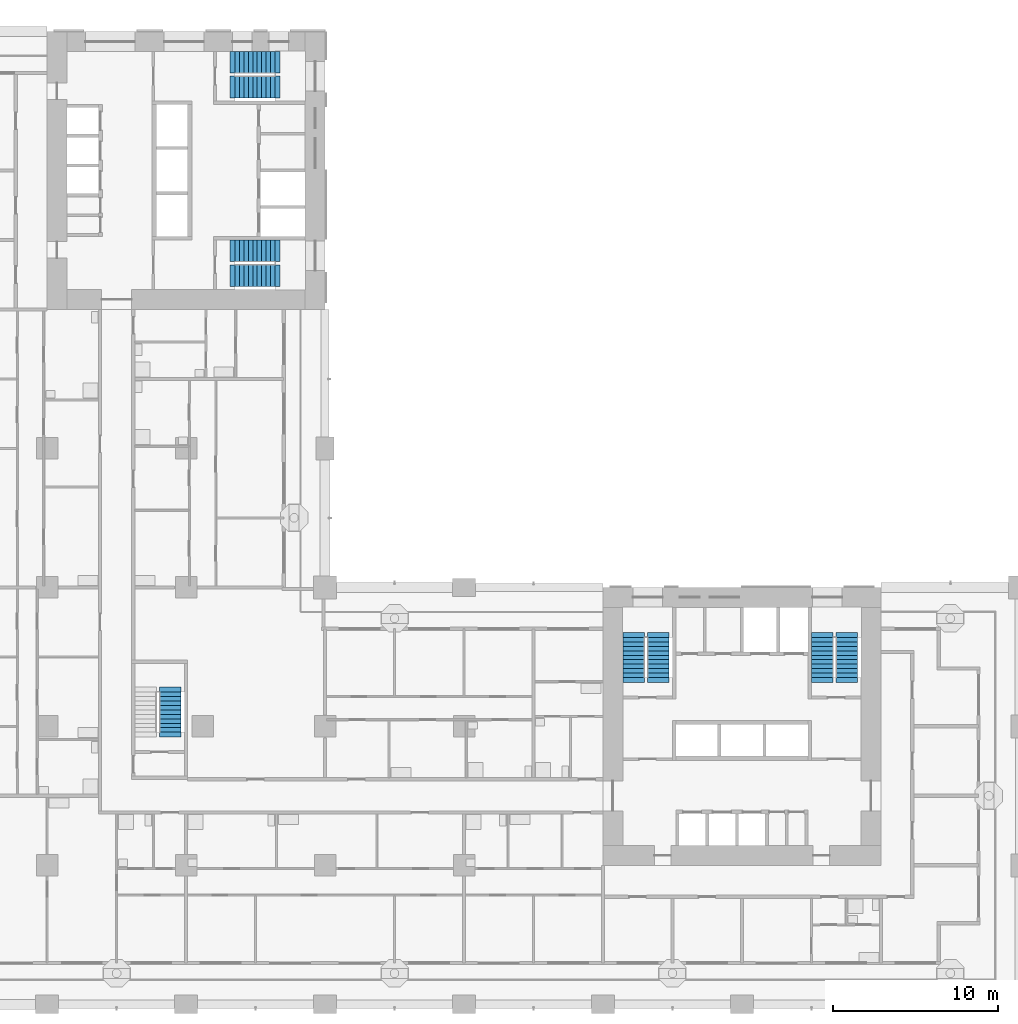
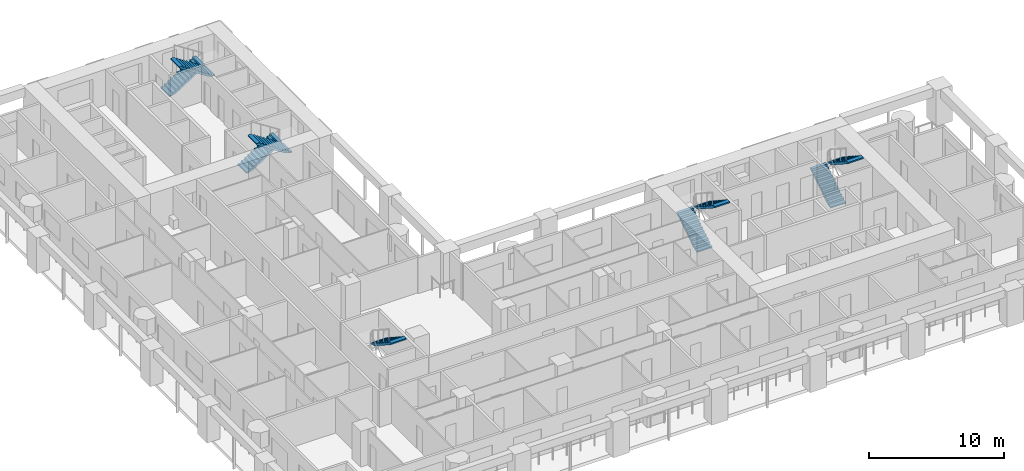
# One storey, part 10 of 20: 9 stair flights, 5 elements without a shape of their own.
"""IFC4 building model written with IfcOpenShell, lengths in metres."""

from ifc_helpers import new_model, si_unit, direction, frame, origin, place, context, subcontext, project, spatial, polyline, outline, extrude, material, type_object, element, aggregate, save


model = new_model("IFC4")

# Units and contexts
model_context = context("Model", 3, precision=1e-05, world=origin(), true_north=direction((0.0, 1.0)))
body_context = subcontext(model_context, "Body", "Model", "MODEL_VIEW")
ifc_project = project(units=[si_unit("LENGTHUNIT", "METRE"), si_unit("AREAUNIT", "SQUARE_METRE"), si_unit("VOLUMEUNIT", "CUBIC_METRE"), si_unit("PLANEANGLEUNIT", "RADIAN"), si_unit("MASSUNIT", "GRAM", prefix="KILO")], contexts=[model_context])

# Site, building, storey
site_placement = place(None, origin())
site = spatial("IfcSite", under=ifc_project, at=site_placement, CompositionType="ELEMENT")
building_placement = place(site_placement, origin())
building = spatial("IfcBuilding", under=site, at=building_placement, Name="Vermilion Gate Residences", CompositionType="ELEMENT")
storey_placement = place(building_placement, frame((0.0, 0.0, 39.199951171875)))
storey = spatial("IfcBuildingStorey", under=building, at=storey_placement, Name="L08", CompositionType="ELEMENT", Elevation=39.199951171875)

# Stair, stair flights
ifc_material_1 = material(Name="Concrete C50", Category="concrete")
stair_type = type_object("IfcStairType", Name="SPECIAL ESCAPE STAIR 1300", PredefinedType="HALF_TURN_STAIR", material=ifc_material_1)
stair_1_placement = place(storey_placement, origin())
stair_1 = element("IfcStair", 1, at=stair_1_placement, inside=storey, type_object=stair_type, Name="Special escape stair STA1-08", PredefinedType="HALF_TURN_STAIR")
ifc_material_2 = material(Name="Concrete C50", Category="concrete")
stair_flight_type = type_object("IfcStairFlightType", Name="STAIR FLIGHT 1300 RC C50", PredefinedType="STRAIGHT", material=ifc_material_2)
stair_flight_1_placement = place(storey_placement, frame((43.85009765625, 19.75, 0.0), z_axis=(0.0, 0.0, 1.0), x_axis=(0.0, 1.0, 0.0)))
stair_flight_1 = element("IfcStairFlight", 2, at=stair_flight_1_placement, type_object=stair_flight_type, Name="STA1-08 flight 1", NumberOfRisers=10, NumberOfTreads=9, PredefinedType="STRAIGHT", RiserHeight=0.175, TreadLength=0.27, context=body_context, shape_type="SweptSolid", body=[
    extrude(outline(polyline([(-0.300048828125, -0.14990234375), (-0.300048828125, -0.030029296875), (0.0, 0.0), (0.0, 0.175048828125), (0.27001953125, 0.175048828125), (0.27001953125, 0.35009765625), (0.5400390625, 0.35009765625), (0.5400390625, 0.52490234375), (0.81005859375, 0.52490234375), (0.81005859375, 0.699951171875), (1.080078125, 0.699951171875), (1.080078125, 0.875), (1.35009765625, 0.875), (1.35009765625, 1.050048828125), (1.6201171875, 1.050048828125), (1.6201171875, 1.22509765625), (1.889892578125, 1.22509765625), (1.889892578125, 1.39990234375), (2.159912109375, 1.39990234375), (2.159912109375, 1.574951171875), (2.429931640625, 1.574951171875), (2.429931640625, 1.75), (2.72998046875, 1.719970703125), (2.72998046875, 1.60009765625), (2.429931640625, 1.396484375), (0.275634765625, 0.0), (-0.300048828125, -0.14990234375)])), frame((0.0, 0.64990234375, 0.0), z_axis=(0.0, -1.0, 0.0), x_axis=(1.0, 0.0, 0.0)), (0.0, 0.0, 1.0), 1.300048828125),
])
stair_flight_2_placement = place(storey_placement, frame((45.35009765625, 22.179931640625, 1.75), z_axis=(0.0, 0.0, 1.0), x_axis=(0.0, -1.0, 0.0)))
stair_flight_2 = element("IfcStairFlight", 3, at=stair_flight_2_placement, type_object=stair_flight_type, Name="STA1-08 flight 2", NumberOfRisers=10, NumberOfTreads=9, PredefinedType="STRAIGHT", RiserHeight=0.175, TreadLength=0.27, context=body_context, shape_type="SweptSolid", body=[
    extrude(outline(polyline([(-0.300048828125, -0.14990234375), (-0.300048828125, -0.030029296875), (0.0, 0.0), (0.0, 0.175048828125), (0.27001953125, 0.175048828125), (0.27001953125, 0.35009765625), (0.5400390625, 0.35009765625), (0.5400390625, 0.52490234375), (0.81005859375, 0.52490234375), (0.81005859375, 0.699951171875), (1.080078125, 0.699951171875), (1.080078125, 0.875), (1.35009765625, 0.875), (1.35009765625, 1.050048828125), (1.6201171875, 1.050048828125), (1.6201171875, 1.22509765625), (1.889892578125, 1.22509765625), (1.889892578125, 1.39990234375), (2.159912109375, 1.39990234375), (2.159912109375, 1.574951171875), (2.429931640625, 1.574951171875), (2.429931640625, 1.75), (2.72998046875, 1.719970703125), (2.72998046875, 1.60009765625), (2.429931640625, 1.396484375), (0.275634765625, 0.0), (-0.300048828125, -0.14990234375)])), frame((0.0, 0.64990234375, 0.0), z_axis=(0.0, -1.0, 0.0), x_axis=(1.0, 0.0, 0.0)), (0.0, 0.0, 1.0), 1.300048828125),
])
aggregate(stair_1, [stair_flight_1, stair_flight_2])

stair_2_placement = place(storey_placement, origin())
stair_2 = element("IfcStair", 4, at=stair_2_placement, inside=storey, type_object=stair_type, Name="Special escape stair STA2-08", PredefinedType="HALF_TURN_STAIR")
stair_flight_3_placement = place(storey_placement, frame((55.25, 19.75, 0.0), z_axis=(0.0, 0.0, 1.0), x_axis=(0.0, 1.0, 0.0)))
stair_flight_3 = element("IfcStairFlight", 5, at=stair_flight_3_placement, type_object=stair_flight_type, Name="STA2-08 flight 1", NumberOfRisers=10, NumberOfTreads=9, PredefinedType="STRAIGHT", RiserHeight=0.175, TreadLength=0.27, context=body_context, shape_type="SweptSolid", body=[
    extrude(outline(polyline([(-0.300048828125, -0.14990234375), (-0.300048828125, -0.030029296875), (0.0, 0.0), (0.0, 0.175048828125), (0.27001953125, 0.175048828125), (0.27001953125, 0.35009765625), (0.5400390625, 0.35009765625), (0.5400390625, 0.52490234375), (0.81005859375, 0.52490234375), (0.81005859375, 0.699951171875), (1.080078125, 0.699951171875), (1.080078125, 0.875), (1.35009765625, 0.875), (1.35009765625, 1.050048828125), (1.6201171875, 1.050048828125), (1.6201171875, 1.22509765625), (1.889892578125, 1.22509765625), (1.889892578125, 1.39990234375), (2.159912109375, 1.39990234375), (2.159912109375, 1.574951171875), (2.429931640625, 1.574951171875), (2.429931640625, 1.75), (2.72998046875, 1.719970703125), (2.72998046875, 1.60009765625), (2.429931640625, 1.396484375), (0.275634765625, 0.0), (-0.300048828125, -0.14990234375)])), frame((0.0, 0.64990234375, 0.0), z_axis=(0.0, -1.0, 0.0), x_axis=(1.0, 0.0, 0.0)), (0.0, 0.0, 1.0), 1.300048828125),
])
stair_flight_4_placement = place(storey_placement, frame((56.75, 22.179931640625, 1.75), z_axis=(0.0, 0.0, 1.0), x_axis=(0.0, -1.0, 0.0)))
stair_flight_4 = element("IfcStairFlight", 6, at=stair_flight_4_placement, type_object=stair_flight_type, Name="STA2-08 flight 2", NumberOfRisers=10, NumberOfTreads=9, PredefinedType="STRAIGHT", RiserHeight=0.175, TreadLength=0.27, context=body_context, shape_type="SweptSolid", body=[
    extrude(outline(polyline([(-0.300048828125, -0.14990234375), (-0.300048828125, -0.030029296875), (0.0, 0.0), (0.0, 0.175048828125), (0.27001953125, 0.175048828125), (0.27001953125, 0.35009765625), (0.5400390625, 0.35009765625), (0.5400390625, 0.52490234375), (0.81005859375, 0.52490234375), (0.81005859375, 0.699951171875), (1.080078125, 0.699951171875), (1.080078125, 0.875), (1.35009765625, 0.875), (1.35009765625, 1.050048828125), (1.6201171875, 1.050048828125), (1.6201171875, 1.22509765625), (1.889892578125, 1.22509765625), (1.889892578125, 1.39990234375), (2.159912109375, 1.39990234375), (2.159912109375, 1.574951171875), (2.429931640625, 1.574951171875), (2.429931640625, 1.75), (2.72998046875, 1.719970703125), (2.72998046875, 1.60009765625), (2.429931640625, 1.396484375), (0.275634765625, 0.0), (-0.300048828125, -0.14990234375)])), frame((0.0, 0.64990234375, 0.0), z_axis=(0.0, -1.0, 0.0), x_axis=(1.0, 0.0, 0.0)), (0.0, 0.0, 1.0), 1.300048828125),
])
aggregate(stair_2, [stair_flight_3, stair_flight_4])

stair_3_placement = place(storey_placement, origin())
stair_3 = element("IfcStair", 7, at=stair_3_placement, inside=storey, type_object=stair_type, Name="Special escape stair STB1-08", PredefinedType="HALF_TURN_STAIR")
stair_flight_5_placement = place(storey_placement, frame((19.75, 56.949951171875, 0.0), z_axis=(0.0, 0.0, 1.0), x_axis=(1.0, 0.0, 0.0)))
stair_flight_5 = element("IfcStairFlight", 8, at=stair_flight_5_placement, type_object=stair_flight_type, Name="STB1-08 flight 1", NumberOfRisers=10, NumberOfTreads=9, PredefinedType="STRAIGHT", RiserHeight=0.175, TreadLength=0.27, context=body_context, shape_type="SweptSolid", body=[
    extrude(outline(polyline([(-0.300048828125, -0.14990234375), (-0.300048828125, -0.030029296875), (0.0, 0.0), (0.0, 0.175048828125), (0.27001953125, 0.175048828125), (0.27001953125, 0.35009765625), (0.5400390625, 0.35009765625), (0.5400390625, 0.52490234375), (0.81005859375, 0.52490234375), (0.81005859375, 0.699951171875), (1.080078125, 0.699951171875), (1.080078125, 0.875), (1.35009765625, 0.875), (1.35009765625, 1.050048828125), (1.6201171875, 1.050048828125), (1.6201171875, 1.22509765625), (1.889892578125, 1.22509765625), (1.889892578125, 1.39990234375), (2.159912109375, 1.39990234375), (2.159912109375, 1.574951171875), (2.429931640625, 1.574951171875), (2.429931640625, 1.75), (2.72998046875, 1.719970703125), (2.72998046875, 1.60009765625), (2.429931640625, 1.396484375), (0.275634765625, 0.0), (-0.300048828125, -0.14990234375)])), frame((0.0, 0.64990234375, 0.0), z_axis=(0.0, -1.0, 0.0), x_axis=(1.0, 0.0, 0.0)), (0.0, 0.0, 1.0), 1.300048828125),
])
stair_flight_6_placement = place(storey_placement, frame((22.179931640625, 55.449951171875, 1.75), z_axis=(0.0, 0.0, 1.0), x_axis=(-1.0, 0.0, 0.0)))
stair_flight_6 = element("IfcStairFlight", 9, at=stair_flight_6_placement, type_object=stair_flight_type, Name="STB1-08 flight 2", NumberOfRisers=10, NumberOfTreads=9, PredefinedType="STRAIGHT", RiserHeight=0.175, TreadLength=0.27, context=body_context, shape_type="SweptSolid", body=[
    extrude(outline(polyline([(-0.300048828125, -0.14990234375), (-0.300048828125, -0.030029296875), (0.0, 0.0), (0.0, 0.175048828125), (0.27001953125, 0.175048828125), (0.27001953125, 0.35009765625), (0.5400390625, 0.35009765625), (0.5400390625, 0.52490234375), (0.81005859375, 0.52490234375), (0.81005859375, 0.699951171875), (1.080078125, 0.699951171875), (1.080078125, 0.875), (1.35009765625, 0.875), (1.35009765625, 1.050048828125), (1.6201171875, 1.050048828125), (1.6201171875, 1.22509765625), (1.889892578125, 1.22509765625), (1.889892578125, 1.39990234375), (2.159912109375, 1.39990234375), (2.159912109375, 1.574951171875), (2.429931640625, 1.574951171875), (2.429931640625, 1.75), (2.72998046875, 1.719970703125), (2.72998046875, 1.60009765625), (2.429931640625, 1.396484375), (0.275634765625, 0.0), (-0.300048828125, -0.14990234375)])), frame((0.0, 0.64990234375, 0.0), z_axis=(0.0, -1.0, 0.0), x_axis=(1.0, 0.0, 0.0)), (0.0, 0.0, 1.0), 1.300048828125),
])
aggregate(stair_3, [stair_flight_5, stair_flight_6])

stair_4_placement = place(storey_placement, origin())
stair_4 = element("IfcStair", 10, at=stair_4_placement, inside=storey, type_object=stair_type, Name="Special escape stair STB2-08", PredefinedType="HALF_TURN_STAIR")
stair_flight_7_placement = place(storey_placement, frame((19.75, 45.550048828125, 0.0), z_axis=(0.0, 0.0, 1.0), x_axis=(1.0, 0.0, 0.0)))
stair_flight_7 = element("IfcStairFlight", 11, at=stair_flight_7_placement, type_object=stair_flight_type, Name="STB2-08 flight 1", NumberOfRisers=10, NumberOfTreads=9, PredefinedType="STRAIGHT", RiserHeight=0.175, TreadLength=0.27, context=body_context, shape_type="SweptSolid", body=[
    extrude(outline(polyline([(-0.300048828125, -0.14990234375), (-0.300048828125, -0.030029296875), (0.0, 0.0), (0.0, 0.175048828125), (0.27001953125, 0.175048828125), (0.27001953125, 0.35009765625), (0.5400390625, 0.35009765625), (0.5400390625, 0.52490234375), (0.81005859375, 0.52490234375), (0.81005859375, 0.699951171875), (1.080078125, 0.699951171875), (1.080078125, 0.875), (1.35009765625, 0.875), (1.35009765625, 1.050048828125), (1.6201171875, 1.050048828125), (1.6201171875, 1.22509765625), (1.889892578125, 1.22509765625), (1.889892578125, 1.39990234375), (2.159912109375, 1.39990234375), (2.159912109375, 1.574951171875), (2.429931640625, 1.574951171875), (2.429931640625, 1.75), (2.72998046875, 1.719970703125), (2.72998046875, 1.60009765625), (2.429931640625, 1.396484375), (0.275634765625, 0.0), (-0.300048828125, -0.14990234375)])), frame((0.0, 0.64990234375, 0.0), z_axis=(0.0, -1.0, 0.0), x_axis=(1.0, 0.0, 0.0)), (0.0, 0.0, 1.0), 1.300048828125),
])
stair_flight_8_placement = place(storey_placement, frame((22.179931640625, 44.050048828125, 1.75), z_axis=(0.0, 0.0, 1.0), x_axis=(-1.0, 0.0, 0.0)))
stair_flight_8 = element("IfcStairFlight", 12, at=stair_flight_8_placement, type_object=stair_flight_type, Name="STB2-08 flight 2", NumberOfRisers=10, NumberOfTreads=9, PredefinedType="STRAIGHT", RiserHeight=0.175, TreadLength=0.27, context=body_context, shape_type="SweptSolid", body=[
    extrude(outline(polyline([(-0.300048828125, -0.14990234375), (-0.300048828125, -0.030029296875), (0.0, 0.0), (0.0, 0.175048828125), (0.27001953125, 0.175048828125), (0.27001953125, 0.35009765625), (0.5400390625, 0.35009765625), (0.5400390625, 0.52490234375), (0.81005859375, 0.52490234375), (0.81005859375, 0.699951171875), (1.080078125, 0.699951171875), (1.080078125, 0.875), (1.35009765625, 0.875), (1.35009765625, 1.050048828125), (1.6201171875, 1.050048828125), (1.6201171875, 1.22509765625), (1.889892578125, 1.22509765625), (1.889892578125, 1.39990234375), (2.159912109375, 1.39990234375), (2.159912109375, 1.574951171875), (2.429931640625, 1.574951171875), (2.429931640625, 1.75), (2.72998046875, 1.719970703125), (2.72998046875, 1.60009765625), (2.429931640625, 1.396484375), (0.275634765625, 0.0), (-0.300048828125, -0.14990234375)])), frame((0.0, 0.64990234375, 0.0), z_axis=(0.0, -1.0, 0.0), x_axis=(1.0, 0.0, 0.0)), (0.0, 0.0, 1.0), 1.300048828125),
])
aggregate(stair_4, [stair_flight_7, stair_flight_8])

# Stair, stair flight
stair_5_placement = place(storey_placement, origin())
stair_5 = element("IfcStair", 13, at=stair_5_placement, inside=storey, type_object=stair_type, Name="Special escape stair STC1-08", PredefinedType="HALF_TURN_STAIR")
stair_flight_9_placement = place(storey_placement, frame((15.85009765625, 18.8798828125, 1.75), z_axis=(0.0, 0.0, 1.0), x_axis=(0.0, -1.0, 0.0)))
stair_flight_9 = element("IfcStairFlight", 14, at=stair_flight_9_placement, type_object=stair_flight_type, Name="STC1-08 flight 2", NumberOfRisers=10, NumberOfTreads=9, PredefinedType="STRAIGHT", RiserHeight=0.175, TreadLength=0.27, context=body_context, shape_type="SweptSolid", body=[
    extrude(outline(polyline([(-0.300048828125, -0.14990234375), (-0.300048828125, -0.030029296875), (0.0, 0.0), (0.0, 0.175048828125), (0.27001953125, 0.175048828125), (0.27001953125, 0.35009765625), (0.5400390625, 0.35009765625), (0.5400390625, 0.52490234375), (0.81005859375, 0.52490234375), (0.81005859375, 0.699951171875), (1.080078125, 0.699951171875), (1.080078125, 0.875), (1.35009765625, 0.875), (1.35009765625, 1.050048828125), (1.6201171875, 1.050048828125), (1.6201171875, 1.22509765625), (1.889892578125, 1.22509765625), (1.889892578125, 1.39990234375), (2.159912109375, 1.39990234375), (2.159912109375, 1.574951171875), (2.429931640625, 1.574951171875), (2.429931640625, 1.75), (2.72998046875, 1.719970703125), (2.72998046875, 1.60009765625), (2.429931640625, 1.396484375), (0.275634765625, 0.0), (-0.300048828125, -0.14990234375)])), frame((0.0, 0.64990234375, 0.0), z_axis=(0.0, -1.0, 0.0), x_axis=(1.0, 0.0, 0.0)), (0.0, 0.0, 1.0), 1.300048828125),
])
aggregate(stair_5, [stair_flight_9])

save(model, "model.ifc")
